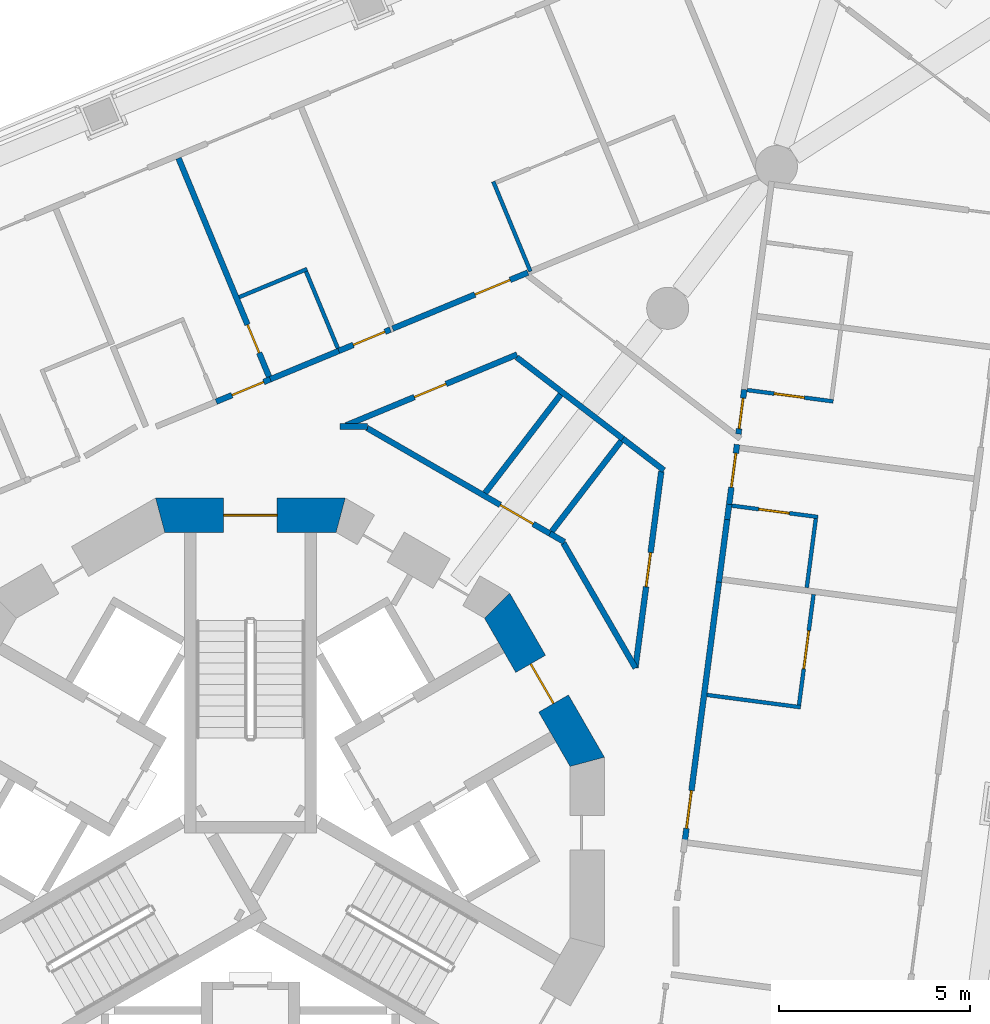
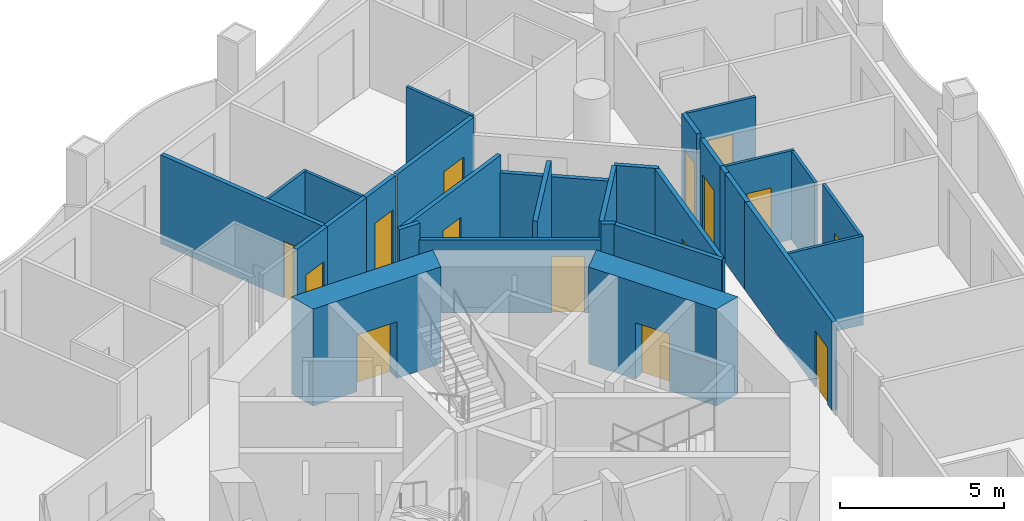
# One storey, part 9 of 18: 30 walls, 15 doors, 15 openings.
"""IFC4 building model written with IfcOpenShell, lengths in metres."""

from ifc_helpers import new_model, si_unit, direction, frame, frame_2d, origin, place, context, subcontext, project, spatial, polyline, rectangle, outline, extrude, material, layer, layer_set, type_object, element, fill, save


model = new_model("IFC4")

# Units and contexts
model_context = context("Model", 3, precision=1e-05, world=origin(), true_north=direction((0.0, 1.0)))
body_context = subcontext(model_context, "Body", "Model", "MODEL_VIEW")
ifc_project = project(units=[si_unit("LENGTHUNIT", "METRE"), si_unit("AREAUNIT", "SQUARE_METRE"), si_unit("VOLUMEUNIT", "CUBIC_METRE"), si_unit("PLANEANGLEUNIT", "RADIAN"), si_unit("MASSUNIT", "GRAM", prefix="KILO")], contexts=[model_context])

# Site, building, storey
site_placement = place(None, origin())
site = spatial("IfcSite", under=ifc_project, at=site_placement, CompositionType="ELEMENT")
building_placement = place(site_placement, origin())
building = spatial("IfcBuilding", under=site, at=building_placement, Name="Trine Commons Tower", CompositionType="ELEMENT")
storey_placement = place(building_placement, frame((0.0, 0.0, 142.199951171875)))
storey = spatial("IfcBuildingStorey", under=building, at=storey_placement, Name="L36", CompositionType="ELEMENT", Elevation=142.199951171875)

# Wall, opening, door
ifc_material_1 = material(Name="Concrete C70/85", Category="concrete")
ifc_layer_1 = layer(ifc_material_1, 0.89990234375)
ifc_layer_set_1 = layer_set([ifc_layer_1], Name="Concrete C70/85")
wall_type_1 = type_object("IfcWallType", Name="RC shear wall 900 mm, C70/85", PredefinedType="SHEAR", material=ifc_layer_set_1)
wall_1_placement = place(storey_placement, frame((88.88330078125, 64.759765625, 0.0), z_axis=(0.0, 0.0, 1.0), x_axis=(-0.500038571144, 0.866003133579, 0.0)))
wall_1 = element("IfcWall", 1, at=wall_1_placement, inside=storey, type_object=wall_type_1, Name="Core wall CWD-02 L36", PredefinedType="SHEAR", context=body_context, shape_type="SweptSolid", body=[
    extrude(outline(polyline([(0.0, -0.449951171875), (4.96923828125, -0.449951171875), (4.72802734375, 0.449951171875), (0.2412109375, 0.449951171875), (0.0, -0.449951171875)])), origin(), (0.0, 0.0, 1.0), 3.60009765625),
])
opening_1_placement = place(wall_1_placement, frame((1.884521484375, 0.0, 0.0)))
opening_1 = element("IfcOpeningElement", 2, at=opening_1_placement, cuts=wall_1, Name="Opening K11.04", PredefinedType="OPENING", context=body_context, shape_type="SweptSolid", body=[
    extrude(rectangle(XDim=1.199951171875, YDim=2.10009765625, at=frame_2d((0.60009765625, 1.050048828125))), frame((0.0, 0.4599609375, 0.0), z_axis=(0.0, -1.0, 0.0), x_axis=(1.0, 0.0, 0.0)), (0.0, 0.0, 1.0), 0.919921875),
])
ifc_material_2 = material(Name="Steel door leaves, fire-rated", Category="steel")
door_type_1 = type_object("IfcDoorType", Name="Lobby door, double leaf 1200 x 2100, FD60", OperationType="DOUBLE_DOOR_SINGLE_SWING", PredefinedType="DOOR", material=ifc_material_2)
door_1_placement = place(opening_1_placement, origin())
door_1 = element("IfcDoor", 3, at=door_1_placement, inside=storey, type_object=door_type_1, Name="Lobby door, Passenger lift lobby A L36", OperationType="DOUBLE_DOOR_SINGLE_SWING", OverallHeight=2.10009765625, OverallWidth=1.199951171875, PredefinedType="DOOR", context=body_context, shape_type="SweptSolid", body=[
    extrude(rectangle(XDim=1.199951171875, YDim=2.10009765625, at=frame_2d((0.60009765625, 1.050048828125))), frame((0.0, 0.02490234375, 0.0), z_axis=(0.0, -1.0, 0.0), x_axis=(1.0, 0.0, 0.0)), (0.0, 0.0, 1.0), 0.050048828125),
])
fill(opening_1, door_1)

wall_2_placement = place(storey_placement, frame((82.484619140625, 71.322998046875, 0.0), z_axis=(0.0, 0.0, 1.0), x_axis=(-1.0, 0.0, 0.0)))
wall_2 = element("IfcWall", 4, at=wall_2_placement, inside=storey, type_object=wall_type_1, Name="Core wall CWD-04 L36", PredefinedType="SHEAR", context=body_context, shape_type="SweptSolid", body=[
    extrude(outline(polyline([(0.0, -0.449951171875), (4.969482421875, -0.449951171875), (4.728271484375, 0.449951171875), (0.2412109375, 0.449951171875), (0.0, -0.449951171875)])), origin(), (0.0, 0.0, 1.0), 3.60009765625),
])
opening_2_placement = place(wall_2_placement, frame((1.78466796875, 0.0, 0.0)))
opening_2 = element("IfcOpeningElement", 5, at=opening_2_placement, cuts=wall_2, Name="Opening K11.01", PredefinedType="OPENING", context=body_context, shape_type="SweptSolid", body=[
    extrude(rectangle(XDim=1.39990234375, YDim=2.10009765625, at=frame_2d((0.699951171875, 1.050048828125))), frame((0.0, 0.4599609375, 0.0), z_axis=(0.0, -1.0, 0.0), x_axis=(1.0, 0.0, 0.0)), (0.0, 0.0, 1.0), 0.919921875),
])
door_type_2 = type_object("IfcDoorType", Name="Stair door, double leaf 1400 x 2100, FD90", OperationType="DOUBLE_DOOR_SINGLE_SWING", PredefinedType="DOOR", material=ifc_material_2)
door_2_placement = place(opening_2_placement, origin())
door_2 = element("IfcDoor", 6, at=door_2_placement, inside=storey, type_object=door_type_2, Name="Stair door to Exit stair ST1B L36", OperationType="DOUBLE_DOOR_SINGLE_SWING", OverallHeight=2.10009765625, OverallWidth=1.39990234375, PredefinedType="DOOR", context=body_context, shape_type="SweptSolid", body=[
    extrude(rectangle(XDim=1.39990234375, YDim=2.10009765625, at=frame_2d((0.699951171875, 1.050048828125))), frame((0.0, 0.02490234375, 0.0), z_axis=(0.0, -1.0, 0.0), x_axis=(1.0, 0.0, 0.0)), (0.0, 0.0, 1.0), 0.050048828125),
])
fill(opening_2, door_2)

ifc_material_3 = material(Name="Gypsum plasterboard on steel stud", Category="steel")
ifc_layer_2 = layer(ifc_material_3, 0.14990234375)
ifc_layer_set_2 = layer_set([ifc_layer_2], Name="Gypsum plasterboard on steel stud")
wall_type_2 = type_object("IfcWallType", Name="Unit and corridor wall 150 mm, EI 60", PredefinedType="PARTITIONING", material=ifc_layer_set_2)
wall_3_placement = place(storey_placement, frame((78.1171875, 80.676025390625, 0.0), z_axis=(0.0, 0.0, 1.0), x_axis=(0.382656755178, -0.923890582113, 0.0)))
wall_3 = element("IfcWall", 7, at=wall_3_placement, inside=storey, type_object=wall_type_2, Name="Partition 067", PredefinedType="PARTITIONING", context=body_context, shape_type="SweptSolid", body=[
    extrude(rectangle(XDim=6.26904296875, YDim=0.14990234375, at=frame_2d((3.134521484375, 0.0))), origin(), (0.0, 0.0, 1.0), 3.300048828125),
])
opening_3_placement = place(wall_3_placement, frame((4.718994140625, 0.0, 0.0)))
opening_3 = element("IfcOpeningElement", 8, at=opening_3_placement, cuts=wall_3, Name="Opening D-4B41", PredefinedType="OPENING", context=body_context, shape_type="SweptSolid", body=[
    extrude(rectangle(XDim=0.800048828125, YDim=2.10009765625, at=frame_2d((0.39990234375, 1.050048828125))), frame((0.0, 0.0849609375, 0.0), z_axis=(0.0, -1.0, 0.0), x_axis=(1.0, 0.0, 0.0)), (0.0, 0.0, 1.0), 0.169921875),
])
ifc_material_4 = material(Name="Painted timber", Category="wood")
door_type_3 = type_object("IfcDoorType", Name="Internal door 800 x 2100, NOT RATED", OperationType="NOTDEFINED", PredefinedType="DOOR", material=ifc_material_4)
door_3_placement = place(opening_3_placement, frame((0.800048828125, 0.0, 0.0), z_axis=(0.0, 0.0, 1.0), x_axis=(-1.0, 0.0, 0.0)))
door_3 = element("IfcDoor", 9, at=door_3_placement, inside=storey, type_object=door_type_3, Name="Door D-4B41", OperationType="SINGLE_SWING_LEFT", OverallHeight=2.10009765625, OverallWidth=0.800048828125, PredefinedType="DOOR", context=body_context, shape_type="SweptSolid", body=[
    extrude(rectangle(XDim=0.800048828125, YDim=2.10009765625, at=frame_2d((0.39990234375, 1.050048828125))), frame((0.0, 0.02490234375, 0.0), z_axis=(0.0, -1.0, 0.0), x_axis=(1.0, 0.0, 0.0)), (0.0, 0.0, 1.0), 0.050048828125),
])
fill(opening_3, door_3)

wall_4_placement = place(storey_placement, frame((79.10205078125, 74.298095703125, 0.0), z_axis=(0.0, 0.0, 1.0), x_axis=(0.923753093183, 0.382988541389, 0.0)))
wall_4 = element("IfcWall", 10, at=wall_4_placement, inside=storey, type_object=wall_type_2, Name="Partition 070", PredefinedType="PARTITIONING", context=body_context, shape_type="SweptSolid", body=[
    extrude(rectangle(XDim=1.534912109375, YDim=0.14990234375, at=frame_2d((0.767578125, 0.0))), origin(), (0.0, 0.0, 1.0), 3.300048828125),
])
opening_4_placement = place(wall_4_placement, frame((0.447998046875, 0.0, 0.0)))
opening_4 = element("IfcOpeningElement", 11, at=opening_4_placement, cuts=wall_4, Name="Opening D-4B09", PredefinedType="OPENING", context=body_context, shape_type="SweptSolid", body=[
    extrude(rectangle(XDim=0.89990234375, YDim=2.10009765625, at=frame_2d((0.449951171875, 1.050048828125))), frame((0.0, 0.0849609375, 0.0), z_axis=(0.0, -1.0, 0.0), x_axis=(1.0, 0.0, 0.0)), (0.0, 0.0, 1.0), 0.169921875),
])
ifc_material_5 = material(Name="Timber fire door set", Category="wood")
door_type_4 = type_object("IfcDoorType", Name="Bedroom door 900 x 2100, FD30S", OperationType="NOTDEFINED", PredefinedType="DOOR", material=ifc_material_5)
door_4_placement = place(opening_4_placement, origin())
door_4 = element("IfcDoor", 12, at=door_4_placement, inside=storey, type_object=door_type_4, Name="Door D-4B09", OperationType="SINGLE_SWING_RIGHT", OverallHeight=2.10009765625, OverallWidth=0.89990234375, PredefinedType="DOOR", context=body_context, shape_type="SweptSolid", body=[
    extrude(rectangle(XDim=0.89990234375, YDim=2.10009765625, at=frame_2d((0.449951171875, 1.050048828125))), frame((0.0, 0.02490234375, 0.0), z_axis=(0.0, -1.0, 0.0), x_axis=(1.0, 0.0, 0.0)), (0.0, 0.0, 1.0), 0.050048828125),
])
fill(opening_4, door_4)

# Wall
wall_5_placement = place(storey_placement, frame((80.511962890625, 74.882080078125, 0.0), z_axis=(0.0, 0.0, 1.0), x_axis=(0.923847984022, 0.382759588277, 0.0)))
element("IfcWall", 13, at=wall_5_placement, inside=storey, type_object=wall_type_2, Name="Partition 074", PredefinedType="PARTITIONING", context=body_context, shape_type="SweptSolid", body=[
    extrude(rectangle(XDim=2.00927734375, YDim=0.14990234375, at=frame_2d((1.004638671875, 0.0))), origin(), (0.0, 0.0, 1.0), 3.300048828125),
])

# Wall, opening, door
wall_6_placement = place(storey_placement, frame((82.31494140625, 75.62890625, 0.0), z_axis=(0.0, 0.0, 1.0), x_axis=(0.923733456716, 0.383035900332, 0.0)))
wall_6 = element("IfcWall", 14, at=wall_6_placement, inside=storey, type_object=wall_type_2, Name="Partition 079", PredefinedType="PARTITIONING", context=body_context, shape_type="SweptSolid", body=[
    extrude(rectangle(XDim=1.460205078125, YDim=0.14990234375, at=frame_2d((0.72998046875, 0.0))), origin(), (0.0, 0.0, 1.0), 3.300048828125),
])
opening_5_placement = place(wall_6_placement, frame((0.41015625, 0.0, 0.0)))
opening_5 = element("IfcOpeningElement", 15, at=opening_5_placement, cuts=wall_6, Name="Opening D-4B10", PredefinedType="OPENING", context=body_context, shape_type="SweptSolid", body=[
    extrude(rectangle(XDim=0.89990234375, YDim=2.10009765625, at=frame_2d((0.449951171875, 1.050048828125))), frame((0.0, 0.0849609375, 0.0), z_axis=(0.0, -1.0, 0.0), x_axis=(1.0, 0.0, 0.0)), (0.0, 0.0, 1.0), 0.169921875),
])
door_5_placement = place(opening_5_placement, origin())
door_5 = element("IfcDoor", 16, at=door_5_placement, inside=storey, type_object=door_type_4, Name="Door D-4B10", OperationType="SINGLE_SWING_RIGHT", OverallHeight=2.10009765625, OverallWidth=0.89990234375, PredefinedType="DOOR", context=body_context, shape_type="SweptSolid", body=[
    extrude(rectangle(XDim=0.89990234375, YDim=2.10009765625, at=frame_2d((0.449951171875, 1.050048828125))), frame((0.0, 0.02490234375, 0.0), z_axis=(0.0, -1.0, 0.0), x_axis=(1.0, 0.0, 0.0)), (0.0, 0.0, 1.0), 0.050048828125),
])
fill(opening_5, door_5)

# Wall
wall_7_placement = place(storey_placement, frame((82.35205078125, 73.64794921875, 0.0), z_axis=(0.0, 0.0, 1.0), x_axis=(1.0, 0.0, 0.0)))
element("IfcWall", 17, at=wall_7_placement, inside=storey, type_object=wall_type_2, Name="Partition 080", PredefinedType="PARTITIONING", context=body_context, shape_type="SweptSolid", body=[
    extrude(rectangle(XDim=0.7099609375, YDim=0.14990234375, at=frame_2d((0.35498046875, 0.0))), origin(), (0.0, 0.0, 1.0), 3.300048828125),
])

# Wall, opening, door
wall_8_placement = place(storey_placement, frame((82.500244140625, 73.6767578125, 0.0), z_axis=(0.0, 0.0, 1.0), x_axis=(0.923900404771, 0.382633038384, 0.0)))
wall_8 = element("IfcWall", 18, at=wall_8_placement, inside=storey, type_object=wall_type_2, Name="Partition 081", PredefinedType="PARTITIONING", context=body_context, shape_type="SweptSolid", body=[
    extrude(rectangle(XDim=4.855712890625, YDim=0.14990234375, at=frame_2d((2.427734375, 0.0))), origin(), (0.0, 0.0, 1.0), 3.300048828125),
])
opening_6_placement = place(wall_8_placement, frame((1.940185546875, 0.0, 0.0)))
opening_6 = element("IfcOpeningElement", 19, at=opening_6_placement, cuts=wall_8, Name="Opening D-4B31", PredefinedType="OPENING", context=body_context, shape_type="SweptSolid", body=[
    extrude(rectangle(XDim=0.89990234375, YDim=2.10009765625, at=frame_2d((0.449951171875, 1.050048828125))), frame((0.0, 0.0849609375, 0.0), z_axis=(0.0, -1.0, 0.0), x_axis=(1.0, 0.0, 0.0)), (0.0, 0.0, 1.0), 0.169921875),
])
door_type_5 = type_object("IfcDoorType", Name="Service door 900 x 2100, FD30S", OperationType="NOTDEFINED", PredefinedType="DOOR", material=ifc_material_5)
door_6_placement = place(opening_6_placement, frame((0.89990234375, 0.0, 0.0), z_axis=(0.0, 0.0, 1.0), x_axis=(-1.0, 0.0, 0.0)))
door_6 = element("IfcDoor", 20, at=door_6_placement, inside=storey, type_object=door_type_5, Name="Door D-4B31", OperationType="SINGLE_SWING_RIGHT", OverallHeight=2.10009765625, OverallWidth=0.89990234375, PredefinedType="DOOR", context=body_context, shape_type="SweptSolid", body=[
    extrude(rectangle(XDim=0.89990234375, YDim=2.10009765625, at=frame_2d((0.449951171875, 1.050048828125))), frame((0.0, 0.02490234375, 0.0), z_axis=(0.0, -1.0, 0.0), x_axis=(1.0, 0.0, 0.0)), (0.0, 0.0, 1.0), 0.050048828125),
])
fill(opening_6, door_6)

wall_9_placement = place(storey_placement, frame((83.052001953125, 73.610595703125, 0.0), z_axis=(0.0, 0.0, 1.0), x_axis=(0.866011740381, -0.500023664962, 0.0)))
wall_9 = element("IfcWall", 21, at=wall_9_placement, inside=storey, type_object=wall_type_2, Name="Partition 084", PredefinedType="PARTITIONING", context=body_context, shape_type="SweptSolid", body=[
    extrude(rectangle(XDim=5.542724609375, YDim=0.14990234375, at=frame_2d((2.771484375, 0.0))), origin(), (0.0, 0.0, 1.0), 2.699951171875),
])
opening_7_placement = place(wall_9_placement, frame((4.030517578125, 0.0, 0.0)))
opening_7 = element("IfcOpeningElement", 22, at=opening_7_placement, cuts=wall_9, Name="Opening D-4B35", PredefinedType="OPENING", context=body_context, shape_type="SweptSolid", body=[
    extrude(rectangle(XDim=1.0, YDim=2.10009765625, at=frame_2d((0.5, 1.050048828125))), frame((0.0, 0.0849609375, 0.0), z_axis=(0.0, -1.0, 0.0), x_axis=(1.0, 0.0, 0.0)), (0.0, 0.0, 1.0), 0.169921875),
])
door_type_6 = type_object("IfcDoorType", Name="Toilet door 1000 x 2100, NOT RATED", OperationType="NOTDEFINED", PredefinedType="DOOR", material=ifc_material_4)
door_7_placement = place(opening_7_placement, origin())
door_7 = element("IfcDoor", 23, at=door_7_placement, inside=storey, type_object=door_type_6, Name="Door D-4B35", OperationType="SINGLE_SWING_RIGHT", OverallHeight=2.10009765625, OverallWidth=1.0, PredefinedType="DOOR", context=body_context, shape_type="SweptSolid", body=[
    extrude(rectangle(XDim=1.0, YDim=2.10009765625, at=frame_2d((0.5, 1.050048828125))), frame((0.0, 0.02490234375, 0.0), z_axis=(0.0, -1.0, 0.0), x_axis=(1.0, 0.0, 0.0)), (0.0, 0.0, 1.0), 0.050048828125),
])
fill(opening_7, door_7)

wall_10_placement = place(storey_placement, frame((83.72509765625, 76.212890625, 0.0), z_axis=(0.0, 0.0, 1.0), x_axis=(0.923815133711, 0.382838867838, 0.0)))
wall_10 = element("IfcWall", 24, at=wall_10_placement, inside=storey, type_object=wall_type_2, Name="Partition 087", PredefinedType="PARTITIONING", context=body_context, shape_type="SweptSolid", body=[
    extrude(rectangle(XDim=3.83642578125, YDim=0.14990234375, at=frame_2d((1.918212890625, 0.0))), origin(), (0.0, 0.0, 1.0), 3.300048828125),
])
opening_8_placement = place(wall_10_placement, frame((2.332275390625, 0.0, 0.0)))
opening_8 = element("IfcOpeningElement", 25, at=opening_8_placement, cuts=wall_10, Name="Opening D-4B11", PredefinedType="OPENING", context=body_context, shape_type="SweptSolid", body=[
    extrude(rectangle(XDim=1.0, YDim=2.10009765625, at=frame_2d((0.5, 1.050048828125))), frame((0.0, 0.0849609375, 0.0), z_axis=(0.0, -1.0, 0.0), x_axis=(1.0, 0.0, 0.0)), (0.0, 0.0, 1.0), 0.169921875),
])
door_type_7 = type_object("IfcDoorType", Name="Bedroom door 1000 x 2100, FD30S", OperationType="NOTDEFINED", PredefinedType="DOOR", material=ifc_material_5)
door_8_placement = place(opening_8_placement, origin())
door_8 = element("IfcDoor", 26, at=door_8_placement, inside=storey, type_object=door_type_7, Name="Door D-4B11", OperationType="SINGLE_SWING_RIGHT", OverallHeight=2.10009765625, OverallWidth=1.0, PredefinedType="DOOR", context=body_context, shape_type="SweptSolid", body=[
    extrude(rectangle(XDim=1.0, YDim=2.10009765625, at=frame_2d((0.5, 1.050048828125))), frame((0.0, 0.02490234375, 0.0), z_axis=(0.0, -1.0, 0.0), x_axis=(1.0, 0.0, 0.0)), (0.0, 0.0, 1.0), 0.050048828125),
])
fill(opening_8, door_8)

# Walls
wall_11_placement = place(storey_placement, frame((86.147705078125, 71.908447265625, 0.0), z_axis=(0.0, 0.0, 1.0), x_axis=(0.608765985087, 0.793349844269, 0.0)))
element("IfcWall", 27, at=wall_11_placement, inside=storey, type_object=wall_type_2, Name="Partition 093", PredefinedType="PARTITIONING", context=body_context, shape_type="SweptSolid", body=[
    extrude(rectangle(XDim=3.24853515625, YDim=0.14990234375, at=frame_2d((1.624267578125, 0.0))), origin(), (0.0, 0.0, 1.0), 3.300048828125),
])
wall_12_placement = place(storey_placement, frame((86.9765625, 75.460205078125, 0.0), z_axis=(0.0, 0.0, 1.0), x_axis=(0.793436349507, -0.608653234018, 0.0)))
element("IfcWall", 28, at=wall_12_placement, inside=storey, type_object=wall_type_2, Name="Partition 096", PredefinedType="PARTITIONING", context=body_context, shape_type="SweptSolid", body=[
    extrude(rectangle(XDim=3.583251953125, YDim=0.14990234375, at=frame_2d((1.79150390625, 0.0))), origin(), (0.0, 0.0, 1.0), 2.699951171875),
])
wall_13_placement = place(storey_placement, frame((87.845947265625, 70.843017578125, 0.0), z_axis=(0.0, 0.0, 1.0), x_axis=(0.86587042983, -0.500268326746, 0.0)))
element("IfcWall", 29, at=wall_13_placement, inside=storey, type_object=wall_type_2, Name="Partition 103", PredefinedType="PARTITIONING", context=body_context, shape_type="SweptSolid", body=[
    extrude(rectangle(XDim=0.438720703125, YDim=0.14990234375, at=frame_2d((0.21923828125, 0.0))), origin(), (0.0, 0.0, 1.0), 3.300048828125),
])
wall_14_placement = place(storey_placement, frame((87.894775390625, 70.900390625, 0.0), z_axis=(0.0, 0.0, 1.0), x_axis=(0.608761301523, 0.793353438114, 0.0)))
element("IfcWall", 30, at=wall_14_placement, inside=storey, type_object=wall_type_2, Name="Partition 104", PredefinedType="PARTITIONING", context=body_context, shape_type="SweptSolid", body=[
    extrude(rectangle(XDim=2.98388671875, YDim=0.14990234375, at=frame_2d((1.491943359375, 0.0))), origin(), (0.0, 0.0, 1.0), 3.300048828125),
])
wall_15_placement = place(storey_placement, frame((88.198486328125, 70.595947265625, 0.0), z_axis=(0.0, 0.0, 1.0), x_axis=(0.499871635049, -0.86609950264, 0.0)))
element("IfcWall", 31, at=wall_15_placement, inside=storey, type_object=wall_type_2, Name="Partition 106", PredefinedType="PARTITIONING", context=body_context, shape_type="SweptSolid", body=[
    extrude(rectangle(XDim=3.77783203125, YDim=0.14990234375, at=frame_2d((1.888916015625, 0.0))), origin(), (0.0, 0.0, 1.0), 3.300048828125),
])
wall_16_placement = place(storey_placement, frame((89.75390625, 73.3291015625, 0.0), z_axis=(0.0, 0.0, 1.0), x_axis=(0.793704663206, -0.608303302313, 0.0)))
element("IfcWall", 32, at=wall_16_placement, inside=storey, type_object=wall_type_2, Name="Partition 116", PredefinedType="PARTITIONING", context=body_context, shape_type="SweptSolid", body=[
    extrude(rectangle(XDim=1.35888671875, YDim=0.14990234375, at=frame_2d((0.679443359375, 0.0))), origin(), (0.0, 0.0, 1.0), 3.300048828125),
])

# Wall, opening, door
wall_17_placement = place(storey_placement, frame((90.0849609375, 67.326904296875, 0.0), z_axis=(0.0, 0.0, 1.0), x_axis=(0.130647942506, 0.991428825039, 0.0)))
wall_17 = element("IfcWall", 33, at=wall_17_placement, inside=storey, type_object=wall_type_2, Name="Partition 119", PredefinedType="PARTITIONING", context=body_context, shape_type="SweptSolid", body=[
    extrude(rectangle(XDim=5.191162109375, YDim=0.14990234375, at=frame_2d((2.595703125, 0.0))), origin(), (0.0, 0.0, 1.0), 3.300048828125),
])
opening_9_placement = place(wall_17_placement, frame((2.1455078125, 0.0, 0.0)))
opening_9 = element("IfcOpeningElement", 34, at=opening_9_placement, cuts=wall_17, Name="Opening D-4B32", PredefinedType="OPENING", context=body_context, shape_type="SweptSolid", body=[
    extrude(rectangle(XDim=0.89990234375, YDim=2.10009765625, at=frame_2d((0.449951171875, 1.050048828125))), frame((0.0, 0.0849609375, 0.0), z_axis=(0.0, -1.0, 0.0), x_axis=(1.0, 0.0, 0.0)), (0.0, 0.0, 1.0), 0.169921875),
])
door_9_placement = place(opening_9_placement, origin())
door_9 = element("IfcDoor", 35, at=door_9_placement, inside=storey, type_object=door_type_5, Name="Door D-4B32", OperationType="SINGLE_SWING_LEFT", OverallHeight=2.10009765625, OverallWidth=0.89990234375, PredefinedType="DOOR", context=body_context, shape_type="SweptSolid", body=[
    extrude(rectangle(XDim=0.89990234375, YDim=2.10009765625, at=frame_2d((0.449951171875, 1.050048828125))), frame((0.0, 0.02490234375, 0.0), z_axis=(0.0, -1.0, 0.0), x_axis=(1.0, 0.0, 0.0)), (0.0, 0.0, 1.0), 0.050048828125),
])
fill(opening_9, door_9)

wall_18_placement = place(storey_placement, frame((91.3740234375, 62.751953125, 0.0), z_axis=(0.0, 0.0, 1.0), x_axis=(0.130544309052, 0.991442476079, 0.0)))
wall_18 = element("IfcWall", 36, at=wall_18_placement, inside=storey, type_object=wall_type_2, Name="Partition 127", PredefinedType="PARTITIONING", context=body_context, shape_type="SweptSolid", body=[
    extrude(rectangle(XDim=6.962646484375, YDim=0.14990234375, at=frame_2d((3.4814453125, 0.0))), origin(), (0.0, 0.0, 1.0), 3.300048828125),
])
opening_10_placement = place(wall_18_placement, frame((0.371826171875, 0.0, 0.0)))
opening_10 = element("IfcOpeningElement", 37, at=opening_10_placement, cuts=wall_18, Name="Opening D-4B16", PredefinedType="OPENING", context=body_context, shape_type="SweptSolid", body=[
    extrude(rectangle(XDim=1.0, YDim=2.10009765625, at=frame_2d((0.5, 1.050048828125))), frame((0.0, 0.0849609375, 0.0), z_axis=(0.0, -1.0, 0.0), x_axis=(1.0, 0.0, 0.0)), (0.0, 0.0, 1.0), 0.169921875),
])
door_10_placement = place(opening_10_placement, frame((1.0, 0.0, 0.0), z_axis=(0.0, 0.0, 1.0), x_axis=(-1.0, 0.0, 0.0)))
door_10 = element("IfcDoor", 38, at=door_10_placement, inside=storey, type_object=door_type_7, Name="Door D-4B16", OperationType="SINGLE_SWING_RIGHT", OverallHeight=2.10009765625, OverallWidth=1.0, PredefinedType="DOOR", context=body_context, shape_type="SweptSolid", body=[
    extrude(rectangle(XDim=1.0, YDim=2.10009765625, at=frame_2d((0.5, 1.050048828125))), frame((0.0, 0.02490234375, 0.0), z_axis=(0.0, -1.0, 0.0), x_axis=(1.0, 0.0, 0.0)), (0.0, 0.0, 1.0), 0.050048828125),
])
fill(opening_10, door_10)

# Walls
wall_19_placement = place(storey_placement, frame((92.272216796875, 69.572509765625, 0.0), z_axis=(0.0, 0.0, 1.0), x_axis=(0.130269397931, 0.991478635152, 0.0)))
element("IfcWall", 39, at=wall_19_placement, inside=storey, type_object=wall_type_2, Name="Partition 132", PredefinedType="PARTITIONING", context=body_context, shape_type="SweptSolid", body=[
    extrude(rectangle(XDim=1.671630859375, YDim=0.14990234375, at=frame_2d((0.8359375, 0.0))), origin(), (0.0, 0.0, 1.0), 3.300048828125),
])
wall_20_placement = place(storey_placement, frame((92.487548828125, 71.211181640625, 0.0), z_axis=(0.0, 0.0, 1.0), x_axis=(0.129965201462, 0.991518555756, 0.0)))
element("IfcWall", 40, at=wall_20_placement, inside=storey, type_object=wall_type_2, Name="Partition 135", PredefinedType="PARTITIONING", context=body_context, shape_type="SweptSolid", body=[
    extrude(rectangle(XDim=0.400146484375, YDim=0.14990234375, at=frame_2d((0.2001953125, 0.0))), origin(), (0.0, 0.0, 1.0), 3.300048828125),
])

# Wall, opening, door
wall_21_placement = place(storey_placement, frame((92.529541015625, 71.531494140625, 0.0), z_axis=(0.0, 0.0, 1.0), x_axis=(0.130872922732, 0.991399151752, 0.0)))
wall_21 = element("IfcWall", 41, at=wall_21_placement, inside=storey, type_object=wall_type_2, Name="Partition 136", PredefinedType="PARTITIONING", context=body_context, shape_type="SweptSolid", body=[
    extrude(rectangle(XDim=1.66015625, YDim=0.14990234375, at=frame_2d((0.830078125, 0.0))), origin(), (0.0, 0.0, 1.0), 3.300048828125),
])
opening_11_placement = place(wall_21_placement, frame((0.53125, 0.0, 0.0)))
opening_11 = element("IfcOpeningElement", 42, at=opening_11_placement, cuts=wall_21, Name="Opening D-4B15", PredefinedType="OPENING", context=body_context, shape_type="SweptSolid", body=[
    extrude(rectangle(XDim=0.89990234375, YDim=2.10009765625, at=frame_2d((0.449951171875, 1.050048828125))), frame((0.0, 0.0849609375, 0.0), z_axis=(0.0, -1.0, 0.0), x_axis=(1.0, 0.0, 0.0)), (0.0, 0.0, 1.0), 0.169921875),
])
door_11_placement = place(opening_11_placement, frame((0.89990234375, 0.0, 0.0), z_axis=(0.0, 0.0, 1.0), x_axis=(-1.0, 0.0, 0.0)))
door_11 = element("IfcDoor", 43, at=door_11_placement, inside=storey, type_object=door_type_4, Name="Door D-4B15", OperationType="SINGLE_SWING_LEFT", OverallHeight=2.10009765625, OverallWidth=0.89990234375, PredefinedType="DOOR", context=body_context, shape_type="SweptSolid", body=[
    extrude(rectangle(XDim=0.89990234375, YDim=2.10009765625, at=frame_2d((0.449951171875, 1.050048828125))), frame((0.0, 0.02490234375, 0.0), z_axis=(0.0, -1.0, 0.0), x_axis=(1.0, 0.0, 0.0)), (0.0, 0.0, 1.0), 0.050048828125),
])
fill(opening_11, door_11)

wall_22_placement = place(storey_placement, frame((92.78271484375, 73.451416015625, 0.0), z_axis=(0.0, 0.0, 1.0), x_axis=(0.130422279171, 0.991458536246, 0.0)))
wall_22 = element("IfcWall", 44, at=wall_22_placement, inside=storey, type_object=wall_type_2, Name="Partition 139", PredefinedType="PARTITIONING", context=body_context, shape_type="SweptSolid", body=[
    extrude(rectangle(XDim=1.175537109375, YDim=0.14990234375, at=frame_2d((0.587890625, 0.0))), origin(), (0.0, 0.0, 1.0), 3.300048828125),
])
opening_12_placement = place(wall_22_placement, frame((0.1435546875, 0.0, 0.0)))
opening_12 = element("IfcOpeningElement", 45, at=opening_12_placement, cuts=wall_22, Name="Opening D-4B14", PredefinedType="OPENING", context=body_context, shape_type="SweptSolid", body=[
    extrude(rectangle(XDim=0.800048828125, YDim=2.10009765625, at=frame_2d((0.39990234375, 1.050048828125))), frame((0.0, 0.0849609375, 0.0), z_axis=(0.0, -1.0, 0.0), x_axis=(1.0, 0.0, 0.0)), (0.0, 0.0, 1.0), 0.169921875),
])
door_type_8 = type_object("IfcDoorType", Name="Bedroom door 800 x 2100, FD30S", OperationType="NOTDEFINED", PredefinedType="DOOR", material=ifc_material_5)
door_12_placement = place(opening_12_placement, frame((0.800048828125, 0.0, 0.0), z_axis=(0.0, 0.0, 1.0), x_axis=(-1.0, 0.0, 0.0)))
door_12 = element("IfcDoor", 46, at=door_12_placement, inside=storey, type_object=door_type_8, Name="Door D-4B14", OperationType="SINGLE_SWING_RIGHT", OverallHeight=2.10009765625, OverallWidth=0.800048828125, PredefinedType="DOOR", context=body_context, shape_type="SweptSolid", body=[
    extrude(rectangle(XDim=0.800048828125, YDim=2.10009765625, at=frame_2d((0.39990234375, 1.050048828125))), frame((0.0, 0.02490234375, 0.0), z_axis=(0.0, -1.0, 0.0), x_axis=(1.0, 0.0, 0.0)), (0.0, 0.0, 1.0), 0.050048828125),
])
fill(opening_12, door_12)

# Walls
ifc_layer_3 = layer(ifc_material_3, 0.10009765625)
ifc_layer_set_3 = layer_set([ifc_layer_3], Name="Gypsum plasterboard on steel stud")
wall_type_3 = type_object("IfcWallType", Name="Unit partition 100 mm, no rating", PredefinedType="PARTITIONING", material=ifc_layer_set_3)
wall_23_placement = place(storey_placement, frame((79.705322265625, 77.03759765625, 0.0), z_axis=(0.0, 0.0, 1.0), x_axis=(0.923922567399, 0.382579520428, 0.0)))
element("IfcWall", 47, at=wall_23_placement, inside=storey, type_object=wall_type_3, Name="Partition 073", PredefinedType="PARTITIONING", context=body_context, shape_type="SweptSolid", body=[
    extrude(rectangle(XDim=1.92529296875, YDim=0.10009765625, at=frame_2d((0.962646484375, 0.0))), origin(), (0.0, 0.0, 1.0), 3.300048828125),
])
wall_24_placement = place(storey_placement, frame((81.45703125, 77.708740234375, 0.0), z_axis=(0.0, 0.0, 1.0), x_axis=(0.382804678338, -0.923829301463, 0.0)))
element("IfcWall", 48, at=wall_24_placement, inside=storey, type_object=wall_type_3, Name="Partition 077", PredefinedType="PARTITIONING", context=body_context, shape_type="SweptSolid", body=[
    extrude(rectangle(XDim=2.174072265625, YDim=0.10009765625, at=frame_2d((1.0869140625, 0.0))), origin(), (0.0, 0.0, 1.0), 3.300048828125),
])
wall_25_placement = place(storey_placement, frame((86.36083984375, 80.065185546875, 0.0), z_axis=(0.0, 0.0, 1.0), x_axis=(0.382391255341, -0.924000502077, 0.0)))
element("IfcWall", 49, at=wall_25_placement, inside=storey, type_object=wall_type_3, Name="Partition 094", PredefinedType="PARTITIONING", context=body_context, shape_type="SweptSolid", body=[
    extrude(rectangle(XDim=2.550048828125, YDim=0.10009765625, at=frame_2d((1.27490234375, 0.0))), origin(), (0.0, 0.0, 1.0), 3.300048828125),
])
wall_26_placement = place(storey_placement, frame((91.95947265625, 66.6171875, 0.0), z_axis=(0.0, 0.0, 1.0), x_axis=(0.991455638879, -0.130444302806, 0.0)))
element("IfcWall", 50, at=wall_26_placement, inside=storey, type_object=wall_type_3, Name="Partition 130", PredefinedType="PARTITIONING", context=body_context, shape_type="SweptSolid", body=[
    extrude(rectangle(XDim=2.474365234375, YDim=0.10009765625, at=frame_2d((1.2373046875, 0.0))), origin(), (0.0, 0.0, 1.0), 3.300048828125),
])

# Wall, opening, door
wall_27_placement = place(storey_placement, frame((92.611328125, 71.5751953125, 0.0), z_axis=(0.0, 0.0, 1.0), x_axis=(0.991461599928, -0.130398987217, 0.0)))
wall_27 = element("IfcWall", 51, at=wall_27_placement, inside=storey, type_object=wall_type_3, Name="Partition 137", PredefinedType="PARTITIONING", context=body_context, shape_type="SweptSolid", body=[
    extrude(rectangle(XDim=2.27490234375, YDim=0.10009765625, at=frame_2d((1.137451171875, 0.0))), origin(), (0.0, 0.0, 1.0), 3.300048828125),
])
opening_13_placement = place(wall_27_placement, frame((0.71240234375, 0.0, 0.0)))
opening_13 = element("IfcOpeningElement", 52, at=opening_13_placement, cuts=wall_27, Name="Opening D-4B46", PredefinedType="OPENING", context=body_context, shape_type="SweptSolid", body=[
    extrude(rectangle(XDim=0.800048828125, YDim=2.10009765625, at=frame_2d((0.39990234375, 1.050048828125))), frame((0.0, 0.06005859375, 0.0), z_axis=(0.0, -1.0, 0.0), x_axis=(1.0, 0.0, 0.0)), (0.0, 0.0, 1.0), 0.1201171875),
])
door_13_placement = place(opening_13_placement, origin())
door_13 = element("IfcDoor", 53, at=door_13_placement, inside=storey, type_object=door_type_3, Name="Door D-4B46", OperationType="SINGLE_SWING_LEFT", OverallHeight=2.10009765625, OverallWidth=0.800048828125, PredefinedType="DOOR", context=body_context, shape_type="SweptSolid", body=[
    extrude(rectangle(XDim=0.800048828125, YDim=2.10009765625, at=frame_2d((0.39990234375, 1.050048828125))), frame((0.0, 0.02490234375, 0.0), z_axis=(0.0, -1.0, 0.0), x_axis=(1.0, 0.0, 0.0)), (0.0, 0.0, 1.0), 0.050048828125),
])
fill(opening_13, door_13)

wall_28_placement = place(storey_placement, frame((93.010498046875, 74.603271484375, 0.0), z_axis=(0.0, 0.0, 1.0), x_axis=(0.991445890878, -0.130518372124, 0.0)))
wall_28 = element("IfcWall", 54, at=wall_28_placement, inside=storey, type_object=wall_type_3, Name="Partition 141", PredefinedType="PARTITIONING", context=body_context, shape_type="SweptSolid", body=[
    extrude(rectangle(XDim=2.274658203125, YDim=0.10009765625, at=frame_2d((1.13720703125, 0.0))), origin(), (0.0, 0.0, 1.0), 3.300048828125),
])
opening_14_placement = place(wall_28_placement, frame((0.71240234375, 0.0, 0.0)))
opening_14 = element("IfcOpeningElement", 55, at=opening_14_placement, cuts=wall_28, Name="Opening D-4B45", PredefinedType="OPENING", context=body_context, shape_type="SweptSolid", body=[
    extrude(rectangle(XDim=0.800048828125, YDim=2.10009765625, at=frame_2d((0.39990234375, 1.050048828125))), frame((0.0, 0.06005859375, 0.0), z_axis=(0.0, -1.0, 0.0), x_axis=(1.0, 0.0, 0.0)), (0.0, 0.0, 1.0), 0.1201171875),
])
door_14_placement = place(opening_14_placement, frame((0.800048828125, 0.0, 0.0), z_axis=(0.0, 0.0, 1.0), x_axis=(-1.0, 0.0, 0.0)))
door_14 = element("IfcDoor", 56, at=door_14_placement, inside=storey, type_object=door_type_3, Name="Door D-4B45", OperationType="SINGLE_SWING_RIGHT", OverallHeight=2.10009765625, OverallWidth=0.800048828125, PredefinedType="DOOR", context=body_context, shape_type="SweptSolid", body=[
    extrude(rectangle(XDim=0.800048828125, YDim=2.10009765625, at=frame_2d((0.39990234375, 1.050048828125))), frame((0.0, 0.02490234375, 0.0), z_axis=(0.0, -1.0, 0.0), x_axis=(1.0, 0.0, 0.0)), (0.0, 0.0, 1.0), 0.050048828125),
])
fill(opening_14, door_14)

wall_29_placement = place(storey_placement, frame((94.369384765625, 66.3505859375, 0.0), z_axis=(0.0, 0.0, 1.0), x_axis=(0.13054519698, 0.991442359164, 0.0)))
wall_29 = element("IfcWall", 57, at=wall_29_placement, inside=storey, type_object=wall_type_3, Name="Partition 145", PredefinedType="PARTITIONING", context=body_context, shape_type="SweptSolid", body=[
    extrude(rectangle(XDim=2.925048828125, YDim=0.10009765625, at=frame_2d((1.46240234375, 0.0))), origin(), (0.0, 0.0, 1.0), 3.300048828125),
])
opening_15_placement = place(wall_29_placement, frame((0.96240234375, 0.0, 0.0)))
opening_15 = element("IfcOpeningElement", 58, at=opening_15_placement, cuts=wall_29, Name="Opening D-4B47", PredefinedType="OPENING", context=body_context, shape_type="SweptSolid", body=[
    extrude(rectangle(XDim=1.0, YDim=2.10009765625, at=frame_2d((0.5, 1.050048828125))), frame((0.0, 0.06005859375, 0.0), z_axis=(0.0, -1.0, 0.0), x_axis=(1.0, 0.0, 0.0)), (0.0, 0.0, 1.0), 0.1201171875),
])
door_type_9 = type_object("IfcDoorType", Name="Internal door 1000 x 2100, NOT RATED", OperationType="NOTDEFINED", PredefinedType="DOOR", material=ifc_material_4)
door_15_placement = place(opening_15_placement, frame((1.0, 0.0, 0.0), z_axis=(0.0, 0.0, 1.0), x_axis=(-1.0, 0.0, 0.0)))
door_15 = element("IfcDoor", 59, at=door_15_placement, inside=storey, type_object=door_type_9, Name="Door D-4B47", OperationType="SINGLE_SWING_RIGHT", OverallHeight=2.10009765625, OverallWidth=1.0, PredefinedType="DOOR", context=body_context, shape_type="SweptSolid", body=[
    extrude(rectangle(XDim=1.0, YDim=2.10009765625, at=frame_2d((0.5, 1.050048828125))), frame((0.0, 0.02490234375, 0.0), z_axis=(0.0, -1.0, 0.0), x_axis=(1.0, 0.0, 0.0)), (0.0, 0.0, 1.0), 0.050048828125),
])
fill(opening_15, door_15)

# Wall
wall_30_placement = place(storey_placement, frame((94.57275390625, 69.42529296875, 0.0), z_axis=(0.0, 0.0, 1.0), x_axis=(0.130253868076, 0.99148067548, 0.0)))
element("IfcWall", 60, at=wall_30_placement, inside=storey, type_object=wall_type_3, Name="Partition 146", PredefinedType="PARTITIONING", context=body_context, shape_type="SweptSolid", body=[
    extrude(rectangle(XDim=1.82568359375, YDim=0.10009765625, at=frame_2d((0.912841796875, 0.0))), origin(), (0.0, 0.0, 1.0), 3.300048828125),
])

save(model, "model.ifc")
